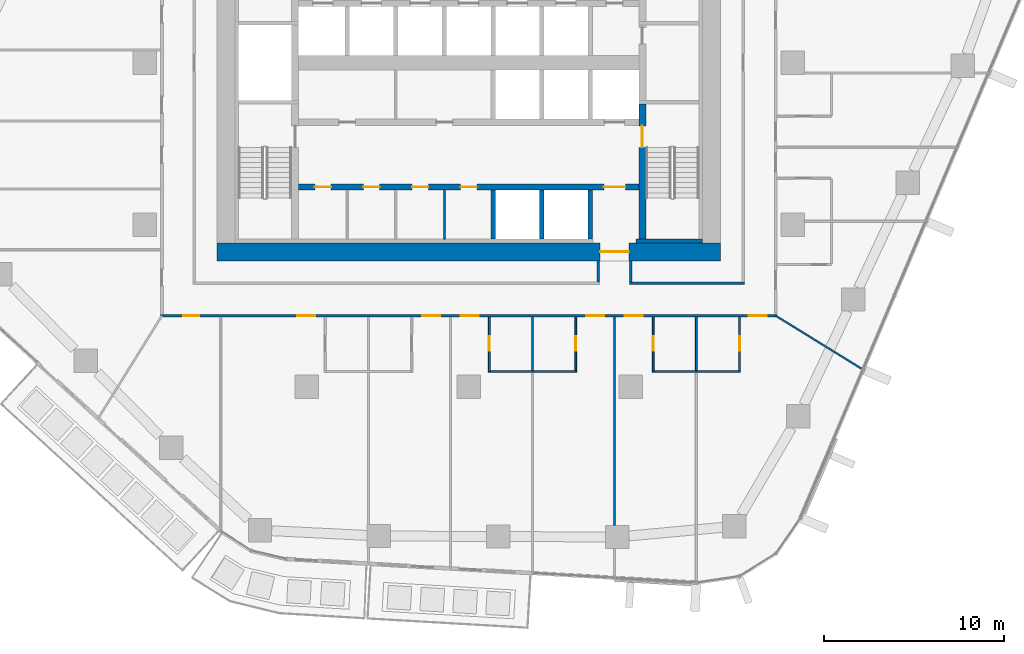
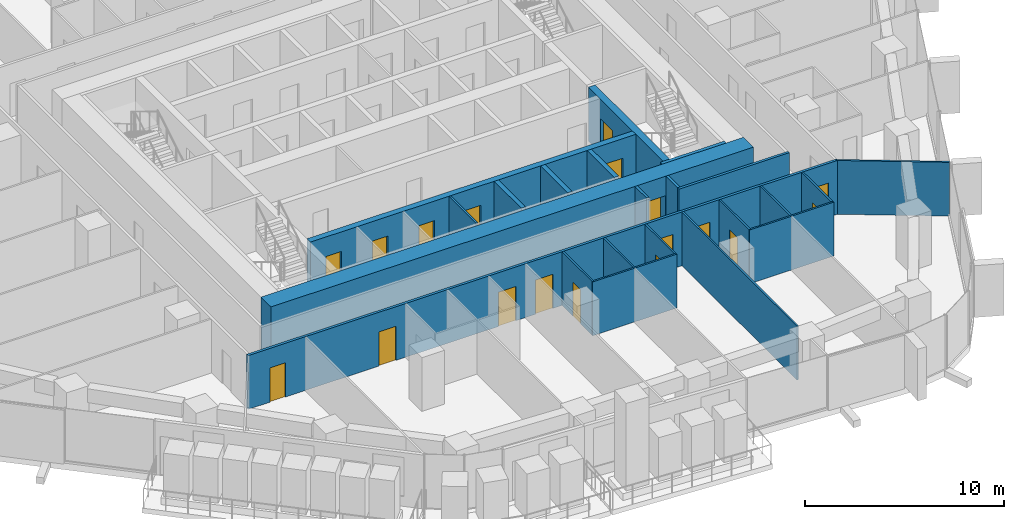
# One storey, part 13 of 24: 22 walls, 18 doors, 18 openings.
"""IFC4 building model written with IfcOpenShell, lengths in metres."""

from ifc_helpers import new_model, si_unit, direction, frame, frame_2d, origin, place, context, subcontext, project, spatial, rectangle, extrude, material, layer, layer_set, type_object, element, fill, save


model = new_model("IFC4")

# Units and contexts
model_context = context("Model", 3, precision=1e-05, world=origin(), true_north=direction((0.0, 1.0)))
body_context = subcontext(model_context, "Body", "Model", "MODEL_VIEW")
ifc_project = project(units=[si_unit("LENGTHUNIT", "METRE"), si_unit("AREAUNIT", "SQUARE_METRE"), si_unit("VOLUMEUNIT", "CUBIC_METRE"), si_unit("PLANEANGLEUNIT", "RADIAN"), si_unit("MASSUNIT", "GRAM", prefix="KILO")], contexts=[model_context])

# Site, building, storey
site_placement = place(None, origin())
site = spatial("IfcSite", under=ifc_project, at=site_placement, CompositionType="ELEMENT")
building_placement = place(site_placement, origin())
building = spatial("IfcBuilding", under=site, at=building_placement, Name="Dongbaek Canopy Tower", CompositionType="ELEMENT")
storey_placement = place(building_placement, frame((0.0, 0.0, 124.800048828125)))
storey = spatial("IfcBuildingStorey", under=building, at=storey_placement, Name="L27", CompositionType="ELEMENT", Elevation=124.800048828125)

# Wall, openings, doors
ifc_material_1 = material(Name="Concrete C60/75", Category="concrete")
ifc_layer_1 = layer(ifc_material_1, 0.35009765625)
ifc_layer_set_1 = layer_set([ifc_layer_1], Name="Core lobby wall 350 Concrete C60/75")
wall_type_1 = type_object("IfcWallType", Name="Core lobby wall 350 Concrete C60/75", PredefinedType="SHEAR", material=ifc_layer_set_1)
wall_1_placement = place(storey_placement, frame((9.449951171875, -6.89990234375, 0.0), z_axis=(0.0, 0.0, 1.0), x_axis=(-1.0, 0.0, 0.0)))
wall_1 = element("IfcWall", 1, at=wall_1_placement, inside=storey, type_object=wall_type_1, Name="Core wall", PredefinedType="SHEAR", context=body_context, shape_type="SweptSolid", body=[
    extrude(rectangle(XDim=18.89990234375, YDim=0.35009765625, at=frame_2d((9.449951171875, 0.0))), origin(), (0.0, 0.0, 1.0), 3.300048828125),
])
opening_1_placement = place(wall_1_placement, frame((0.75, 0.0, 0.0)))
opening_1 = element("IfcOpeningElement", 2, at=opening_1_placement, cuts=wall_1, Name="Opening L27-D061", PredefinedType="OPENING", context=body_context, shape_type="SweptSolid", body=[
    extrude(rectangle(XDim=1.199951171875, YDim=2.10009765625, at=frame_2d((0.60009765625, 1.050048828125))), frame((0.0, 0.18505859375, 0.0), z_axis=(0.0, -1.0, 0.0), x_axis=(1.0, 0.0, 0.0)), (0.0, 0.0, 1.0), 0.3701171875),
])
opening_2_placement = place(wall_1_placement, frame((17.10009765625, 0.0, 0.0)))
opening_2 = element("IfcOpeningElement", 3, at=opening_2_placement, cuts=wall_1, Name="Opening L27-D064", PredefinedType="OPENING", context=body_context, shape_type="SweptSolid", body=[
    extrude(rectangle(XDim=0.89990234375, YDim=2.10009765625, at=frame_2d((0.449951171875, 1.050048828125))), frame((0.0, 0.18505859375, 0.0), z_axis=(0.0, -1.0, 0.0), x_axis=(1.0, 0.0, 0.0)), (0.0, 0.0, 1.0), 0.3701171875),
])
opening_3_placement = place(wall_1_placement, frame((14.39990234375, 0.0, 0.0)))
opening_3 = element("IfcOpeningElement", 4, at=opening_3_placement, cuts=wall_1, Name="Opening L27-D065", PredefinedType="OPENING", context=body_context, shape_type="SweptSolid", body=[
    extrude(rectangle(XDim=0.89990234375, YDim=2.10009765625, at=frame_2d((0.449951171875, 1.050048828125))), frame((0.0, 0.18505859375, 0.0), z_axis=(0.0, -1.0, 0.0), x_axis=(1.0, 0.0, 0.0)), (0.0, 0.0, 1.0), 0.3701171875),
])
opening_4_placement = place(wall_1_placement, frame((11.699951171875, 0.0, 0.0)))
opening_4 = element("IfcOpeningElement", 5, at=opening_4_placement, cuts=wall_1, Name="Opening L27-D066", PredefinedType="OPENING", context=body_context, shape_type="SweptSolid", body=[
    extrude(rectangle(XDim=0.89990234375, YDim=2.10009765625, at=frame_2d((0.449951171875, 1.050048828125))), frame((0.0, 0.18505859375, 0.0), z_axis=(0.0, -1.0, 0.0), x_axis=(1.0, 0.0, 0.0)), (0.0, 0.0, 1.0), 0.3701171875),
])
opening_5_placement = place(wall_1_placement, frame((9.0, 0.0, 0.0)))
opening_5 = element("IfcOpeningElement", 6, at=opening_5_placement, cuts=wall_1, Name="Opening L27-D067", PredefinedType="OPENING", context=body_context, shape_type="SweptSolid", body=[
    extrude(rectangle(XDim=0.89990234375, YDim=2.10009765625, at=frame_2d((0.449951171875, 1.050048828125))), frame((0.0, 0.18505859375, 0.0), z_axis=(0.0, -1.0, 0.0), x_axis=(1.0, 0.0, 0.0)), (0.0, 0.0, 1.0), 0.3701171875),
])
ifc_material_2 = material(Name="Steel", Category="steel")
door_type_1 = type_object("IfcDoorType", Name="Core room door 900 x 2100", OperationType="SINGLE_SWING_LEFT", PredefinedType="DOOR", material=ifc_material_2)
door_1_placement = place(opening_2_placement, origin())
door_1 = element("IfcDoor", 7, at=door_1_placement, inside=storey, type_object=door_type_1, Name="Door L27-D064", OperationType="SINGLE_SWING_RIGHT", OverallHeight=2.10009765625, OverallWidth=0.89990234375, PredefinedType="DOOR", context=body_context, shape_type="SweptSolid", body=[
    extrude(rectangle(XDim=0.89990234375, YDim=2.10009765625, at=frame_2d((0.449951171875, 1.050048828125))), frame((0.0, 0.02490234375, 0.0), z_axis=(0.0, -1.0, 0.0), x_axis=(1.0, 0.0, 0.0)), (0.0, 0.0, 1.0), 0.050048828125),
])
fill(opening_2, door_1)
door_2_placement = place(opening_3_placement, origin())
door_2 = element("IfcDoor", 8, at=door_2_placement, inside=storey, type_object=door_type_1, Name="Door L27-D065", OperationType="SINGLE_SWING_LEFT", OverallHeight=2.10009765625, OverallWidth=0.89990234375, PredefinedType="DOOR", context=body_context, shape_type="SweptSolid", body=[
    extrude(rectangle(XDim=0.89990234375, YDim=2.10009765625, at=frame_2d((0.449951171875, 1.050048828125))), frame((0.0, 0.02490234375, 0.0), z_axis=(0.0, -1.0, 0.0), x_axis=(1.0, 0.0, 0.0)), (0.0, 0.0, 1.0), 0.050048828125),
])
fill(opening_3, door_2)
door_3_placement = place(opening_4_placement, origin())
door_3 = element("IfcDoor", 9, at=door_3_placement, inside=storey, type_object=door_type_1, Name="Door L27-D066", OperationType="SINGLE_SWING_RIGHT", OverallHeight=2.10009765625, OverallWidth=0.89990234375, PredefinedType="DOOR", context=body_context, shape_type="SweptSolid", body=[
    extrude(rectangle(XDim=0.89990234375, YDim=2.10009765625, at=frame_2d((0.449951171875, 1.050048828125))), frame((0.0, 0.02490234375, 0.0), z_axis=(0.0, -1.0, 0.0), x_axis=(1.0, 0.0, 0.0)), (0.0, 0.0, 1.0), 0.050048828125),
])
fill(opening_4, door_3)
door_4_placement = place(opening_5_placement, origin())
door_4 = element("IfcDoor", 10, at=door_4_placement, inside=storey, type_object=door_type_1, Name="Door L27-D067", OperationType="SINGLE_SWING_LEFT", OverallHeight=2.10009765625, OverallWidth=0.89990234375, PredefinedType="DOOR", context=body_context, shape_type="SweptSolid", body=[
    extrude(rectangle(XDim=0.89990234375, YDim=2.10009765625, at=frame_2d((0.449951171875, 1.050048828125))), frame((0.0, 0.02490234375, 0.0), z_axis=(0.0, -1.0, 0.0), x_axis=(1.0, 0.0, 0.0)), (0.0, 0.0, 1.0), 0.050048828125),
])
fill(opening_5, door_4)
ifc_material_3 = material(Name="Steel", Category="steel")
door_type_2 = type_object("IfcDoorType", Name="Fire lobby door 1200 x 2100", OperationType="SINGLE_SWING_LEFT", PredefinedType="DOOR", material=ifc_material_3)
door_5_placement = place(opening_1_placement, origin())
door_5 = element("IfcDoor", 11, at=door_5_placement, inside=storey, type_object=door_type_2, Name="Door L27-D061", OperationType="SINGLE_SWING_LEFT", OverallHeight=2.10009765625, OverallWidth=1.199951171875, PredefinedType="DOOR", context=body_context, shape_type="SweptSolid", body=[
    extrude(rectangle(XDim=1.199951171875, YDim=2.10009765625, at=frame_2d((0.60009765625, 1.050048828125))), frame((0.0, 0.02490234375, 0.0), z_axis=(0.0, -1.0, 0.0), x_axis=(1.0, 0.0, 0.0)), (0.0, 0.0, 1.0), 0.050048828125),
])
fill(opening_1, door_5)

# Wall, opening, door
ifc_material_4 = material(Name="Concrete C60/75", Category="concrete")
ifc_layer_2 = layer(ifc_material_4, 1.0)
ifc_layer_set_2 = layer_set([ifc_layer_2], Name="Core outer wall 1000 Concrete C60/75")
wall_type_2 = type_object("IfcWallType", Name="Core outer wall 1000 Concrete C60/75", PredefinedType="SHEAR", material=ifc_layer_set_2)
wall_2_placement = place(storey_placement, frame((14.0, -10.5, 0.0), z_axis=(0.0, 0.0, 1.0), x_axis=(-1.0, 0.0, 0.0)))
wall_2 = element("IfcWall", 12, at=wall_2_placement, inside=storey, type_object=wall_type_2, Name="Core wall", PredefinedType="SHEAR", context=body_context, shape_type="SweptSolid", body=[
    extrude(rectangle(XDim=28.0, YDim=1.0, at=frame_2d((14.0, 0.0))), origin(), (0.0, 0.0, 1.0), 3.300048828125),
])
opening_6_placement = place(wall_2_placement, frame((5.10009765625, 0.0, 0.0)))
opening_6 = element("IfcOpeningElement", 13, at=opening_6_placement, cuts=wall_2, Name="Opening L27-D060", PredefinedType="OPENING", context=body_context, shape_type="SweptSolid", body=[
    extrude(rectangle(XDim=1.60009765625, YDim=2.10009765625, at=frame_2d((0.800048828125, 1.050048828125))), frame((0.0, 0.510009765625, 0.0), z_axis=(0.0, -1.0, 0.0), x_axis=(1.0, 0.0, 0.0)), (0.0, 0.0, 1.0), 1.02001953125),
])
ifc_material_5 = material(Name="Steel", Category="steel")
door_type_3 = type_object("IfcDoorType", Name="Core exit door 1600 x 2100", OperationType="DOUBLE_DOOR_SINGLE_SWING", PredefinedType="DOOR", material=ifc_material_5)
door_6_placement = place(opening_6_placement, origin())
door_6 = element("IfcDoor", 14, at=door_6_placement, inside=storey, type_object=door_type_3, Name="Core exit door", OperationType="DOUBLE_DOOR_SINGLE_SWING", OverallHeight=2.10009765625, OverallWidth=1.60009765625, PredefinedType="DOOR", context=body_context, shape_type="SweptSolid", body=[
    extrude(rectangle(XDim=1.60009765625, YDim=2.10009765625, at=frame_2d((0.800048828125, 1.050048828125))), frame((0.0, 0.02490234375, 0.0), z_axis=(0.0, -1.0, 0.0), x_axis=(1.0, 0.0, 0.0)), (0.0, 0.0, 1.0), 0.050048828125),
])
fill(opening_6, door_6)

# Wall
ifc_material_6 = material(Name="Concrete C60/75", Category="concrete")
ifc_layer_3 = layer(ifc_material_6, 0.199951171875)
ifc_layer_set_3 = layer_set([ifc_layer_3], Name="Core wall lining 200 Concrete C60/75")
wall_type_3 = type_object("IfcWallType", Name="Core wall lining 200 Concrete C60/75", PredefinedType="SHEAR", material=ifc_layer_set_3)
wall_3_placement = place(storey_placement, frame((13.0, -9.89990234375, 0.0), z_axis=(0.0, 0.0, 1.0), x_axis=(-1.0, 0.0, 0.0)))
element("IfcWall", 15, at=wall_3_placement, inside=storey, type_object=wall_type_3, Name="Core wall lining", PredefinedType="SHEAR", context=body_context, shape_type="SweptSolid", body=[
    extrude(rectangle(XDim=3.699951171875, YDim=0.199951171875, at=frame_2d((1.85009765625, 0.0))), origin(), (0.0, 0.0, 1.0), 3.300048828125),
])

# Wall, openings, doors
ifc_material_7 = material(Name="Gypsum board partition, steel stud, 2 x 15 mm fire board", Category="steel")
ifc_layer_4 = layer(ifc_material_7, 0.14990234375)
ifc_layer_set_4 = layer_set([ifc_layer_4], Name="Fire-rated partition 150 gypsum board")
wall_type_4 = type_object("IfcWallType", Name="Fire-rated partition 150 gypsum board", PredefinedType="PARTITIONING", material=ifc_layer_set_4)
wall_4_placement = place(storey_placement, frame((17.125, -14.050048828125, 0.0), z_axis=(0.0, 0.0, 1.0), x_axis=(-1.0, 0.0, 0.0)))
wall_4 = element("IfcWall", 16, at=wall_4_placement, inside=storey, type_object=wall_type_4, Name="Corridor partition", PredefinedType="PARTITIONING", context=body_context, shape_type="SweptSolid", body=[
    extrude(rectangle(XDim=34.25, YDim=0.14990234375, at=frame_2d((17.125, 0.0))), origin(), (0.0, 0.0, 1.0), 3.300048828125),
])
opening_7_placement = place(wall_4_placement, frame((32.088623046875, 0.0, 0.0)))
opening_7 = element("IfcOpeningElement", 17, at=opening_7_placement, cuts=wall_4, Name="Opening L27-D004", PredefinedType="OPENING", context=body_context, shape_type="SweptSolid", body=[
    extrude(rectangle(XDim=0.89990234375, YDim=2.10009765625, at=frame_2d((0.449951171875, 1.050048828125))), frame((0.0, 0.0849609375, 0.0), z_axis=(0.0, -1.0, 0.0), x_axis=(1.0, 0.0, 0.0)), (0.0, 0.0, 1.0), 0.169921875),
])
opening_8_placement = place(wall_4_placement, frame((25.666015625, 0.0, 0.0)))
opening_8 = element("IfcOpeningElement", 18, at=opening_8_placement, cuts=wall_4, Name="Opening L27-D006", PredefinedType="OPENING", context=body_context, shape_type="SweptSolid", body=[
    extrude(rectangle(XDim=1.0, YDim=2.10009765625, at=frame_2d((0.5, 1.050048828125))), frame((0.0, 0.0849609375, 0.0), z_axis=(0.0, -1.0, 0.0), x_axis=(1.0, 0.0, 0.0)), (0.0, 0.0, 1.0), 0.169921875),
])
opening_9_placement = place(wall_4_placement, frame((18.714111328125, 0.0, 0.0)))
opening_9 = element("IfcOpeningElement", 19, at=opening_9_placement, cuts=wall_4, Name="Opening L27-D008", PredefinedType="OPENING", context=body_context, shape_type="SweptSolid", body=[
    extrude(rectangle(XDim=1.0, YDim=2.10009765625, at=frame_2d((0.5, 1.050048828125))), frame((0.0, 0.0849609375, 0.0), z_axis=(0.0, -1.0, 0.0), x_axis=(1.0, 0.0, 0.0)), (0.0, 0.0, 1.0), 0.169921875),
])
opening_10_placement = place(wall_4_placement, frame((16.557861328125, 0.0, 0.0)))
opening_10 = element("IfcOpeningElement", 20, at=opening_10_placement, cuts=wall_4, Name="Opening L27-D010", PredefinedType="OPENING", context=body_context, shape_type="SweptSolid", body=[
    extrude(rectangle(XDim=1.0, YDim=2.10009765625, at=frame_2d((0.5, 1.050048828125))), frame((0.0, 0.0849609375, 0.0), z_axis=(0.0, -1.0, 0.0), x_axis=(1.0, 0.0, 0.0)), (0.0, 0.0, 1.0), 0.169921875),
])
opening_11_placement = place(wall_4_placement, frame((9.601806640625, 0.0, 0.0)))
opening_11 = element("IfcOpeningElement", 21, at=opening_11_placement, cuts=wall_4, Name="Opening L27-D012", PredefinedType="OPENING", context=body_context, shape_type="SweptSolid", body=[
    extrude(rectangle(XDim=1.0, YDim=2.10009765625, at=frame_2d((0.5, 1.050048828125))), frame((0.0, 0.0849609375, 0.0), z_axis=(0.0, -1.0, 0.0), x_axis=(1.0, 0.0, 0.0)), (0.0, 0.0, 1.0), 0.169921875),
])
opening_12_placement = place(wall_4_placement, frame((7.45068359375, 0.0, 0.0)))
opening_12 = element("IfcOpeningElement", 22, at=opening_12_placement, cuts=wall_4, Name="Opening L27-D014", PredefinedType="OPENING", context=body_context, shape_type="SweptSolid", body=[
    extrude(rectangle(XDim=1.0, YDim=2.10009765625, at=frame_2d((0.5, 1.050048828125))), frame((0.0, 0.0849609375, 0.0), z_axis=(0.0, -1.0, 0.0), x_axis=(1.0, 0.0, 0.0)), (0.0, 0.0, 1.0), 0.169921875),
])
opening_13_placement = place(wall_4_placement, frame((0.576416015625, 0.0, 0.0)))
opening_13 = element("IfcOpeningElement", 23, at=opening_13_placement, cuts=wall_4, Name="Opening L27-D016", PredefinedType="OPENING", context=body_context, shape_type="SweptSolid", body=[
    extrude(rectangle(XDim=1.0, YDim=2.10009765625, at=frame_2d((0.5, 1.050048828125))), frame((0.0, 0.0849609375, 0.0), z_axis=(0.0, -1.0, 0.0), x_axis=(1.0, 0.0, 0.0)), (0.0, 0.0, 1.0), 0.169921875),
])
ifc_material_8 = material(Name="Timber veneered door leaf", Category="wood")
door_type_4 = type_object("IfcDoorType", Name="Guest room door 1000 x 2100", OperationType="SINGLE_SWING_LEFT", PredefinedType="DOOR", material=ifc_material_8)
door_7_placement = place(opening_8_placement, origin())
door_7 = element("IfcDoor", 24, at=door_7_placement, inside=storey, type_object=door_type_4, Name="Door L27-D006", OperationType="SINGLE_SWING_LEFT", OverallHeight=2.10009765625, OverallWidth=1.0, PredefinedType="DOOR", context=body_context, shape_type="SweptSolid", body=[
    extrude(rectangle(XDim=1.0, YDim=2.10009765625, at=frame_2d((0.5, 1.050048828125))), frame((0.0, 0.02490234375, 0.0), z_axis=(0.0, -1.0, 0.0), x_axis=(1.0, 0.0, 0.0)), (0.0, 0.0, 1.0), 0.050048828125),
])
fill(opening_8, door_7)
door_8_placement = place(opening_9_placement, origin())
door_8 = element("IfcDoor", 25, at=door_8_placement, inside=storey, type_object=door_type_4, Name="Door L27-D008", OperationType="SINGLE_SWING_RIGHT", OverallHeight=2.10009765625, OverallWidth=1.0, PredefinedType="DOOR", context=body_context, shape_type="SweptSolid", body=[
    extrude(rectangle(XDim=1.0, YDim=2.10009765625, at=frame_2d((0.5, 1.050048828125))), frame((0.0, 0.02490234375, 0.0), z_axis=(0.0, -1.0, 0.0), x_axis=(1.0, 0.0, 0.0)), (0.0, 0.0, 1.0), 0.050048828125),
])
fill(opening_9, door_8)
door_9_placement = place(opening_10_placement, origin())
door_9 = element("IfcDoor", 26, at=door_9_placement, inside=storey, type_object=door_type_4, Name="Door L27-D010", OperationType="SINGLE_SWING_LEFT", OverallHeight=2.10009765625, OverallWidth=1.0, PredefinedType="DOOR", context=body_context, shape_type="SweptSolid", body=[
    extrude(rectangle(XDim=1.0, YDim=2.10009765625, at=frame_2d((0.5, 1.050048828125))), frame((0.0, 0.02490234375, 0.0), z_axis=(0.0, -1.0, 0.0), x_axis=(1.0, 0.0, 0.0)), (0.0, 0.0, 1.0), 0.050048828125),
])
fill(opening_10, door_9)
door_10_placement = place(opening_11_placement, origin())
door_10 = element("IfcDoor", 27, at=door_10_placement, inside=storey, type_object=door_type_4, Name="Door L27-D012", OperationType="SINGLE_SWING_RIGHT", OverallHeight=2.10009765625, OverallWidth=1.0, PredefinedType="DOOR", context=body_context, shape_type="SweptSolid", body=[
    extrude(rectangle(XDim=1.0, YDim=2.10009765625, at=frame_2d((0.5, 1.050048828125))), frame((0.0, 0.02490234375, 0.0), z_axis=(0.0, -1.0, 0.0), x_axis=(1.0, 0.0, 0.0)), (0.0, 0.0, 1.0), 0.050048828125),
])
fill(opening_11, door_10)
door_11_placement = place(opening_12_placement, origin())
door_11 = element("IfcDoor", 28, at=door_11_placement, inside=storey, type_object=door_type_4, Name="Door L27-D014", OperationType="SINGLE_SWING_LEFT", OverallHeight=2.10009765625, OverallWidth=1.0, PredefinedType="DOOR", context=body_context, shape_type="SweptSolid", body=[
    extrude(rectangle(XDim=1.0, YDim=2.10009765625, at=frame_2d((0.5, 1.050048828125))), frame((0.0, 0.02490234375, 0.0), z_axis=(0.0, -1.0, 0.0), x_axis=(1.0, 0.0, 0.0)), (0.0, 0.0, 1.0), 0.050048828125),
])
fill(opening_12, door_11)
door_12_placement = place(opening_13_placement, origin())
door_12 = element("IfcDoor", 29, at=door_12_placement, inside=storey, type_object=door_type_4, Name="Door L27-D016", OperationType="SINGLE_SWING_RIGHT", OverallHeight=2.10009765625, OverallWidth=1.0, PredefinedType="DOOR", context=body_context, shape_type="SweptSolid", body=[
    extrude(rectangle(XDim=1.0, YDim=2.10009765625, at=frame_2d((0.5, 1.050048828125))), frame((0.0, 0.02490234375, 0.0), z_axis=(0.0, -1.0, 0.0), x_axis=(1.0, 0.0, 0.0)), (0.0, 0.0, 1.0), 0.050048828125),
])
fill(opening_13, door_12)
ifc_material_9 = material(Name="Timber veneered door leaf", Category="wood")
door_type_5 = type_object("IfcDoorType", Name="Room door 900 x 2100", OperationType="SINGLE_SWING_LEFT", PredefinedType="DOOR", material=ifc_material_9)
door_13_placement = place(opening_7_placement, origin())
door_13 = element("IfcDoor", 30, at=door_13_placement, inside=storey, type_object=door_type_5, Name="Door L27-D004", OperationType="SINGLE_SWING_RIGHT", OverallHeight=2.10009765625, OverallWidth=0.89990234375, PredefinedType="DOOR", context=body_context, shape_type="SweptSolid", body=[
    extrude(rectangle(XDim=0.89990234375, YDim=2.10009765625, at=frame_2d((0.449951171875, 1.050048828125))), frame((0.0, 0.02490234375, 0.0), z_axis=(0.0, -1.0, 0.0), x_axis=(1.0, 0.0, 0.0)), (0.0, 0.0, 1.0), 0.050048828125),
])
fill(opening_7, door_13)

# Walls
wall_5_placement = place(storey_placement, frame((8.925048828125, -12.25, 0.0), z_axis=(0.0, 0.0, 1.0), x_axis=(1.0, 0.0, 0.0)))
element("IfcWall", 31, at=wall_5_placement, inside=storey, type_object=wall_type_4, Name="Corridor partition", PredefinedType="PARTITIONING", context=body_context, shape_type="SweptSolid", body=[
    extrude(rectangle(XDim=6.39990234375, YDim=0.14990234375, at=frame_2d((3.199951171875, 0.0))), origin(), (0.0, 0.0, 1.0), 3.300048828125),
])
for number, where, z_axis, x_axis, name in (
    (32, (9.0, -12.175048828125, 0.0), (0.0, 0.0, 1.0), (0.0, 1.0, 0.0), "Corridor partition"),
    (33, (7.199951171875, -12.175048828125, 0.0), (0.0, 0.0, 1.0), (0.0, 1.0, 0.0), "Corridor partition"),
):
    element("IfcWall", number, at=place(storey_placement, frame(where, z_axis=z_axis, x_axis=x_axis)), inside=storey, type_object=wall_type_4, Name=name, PredefinedType="PARTITIONING", context=body_context, shape_type="SweptSolid", body=[
        extrude(rectangle(XDim=1.175048828125, YDim=0.14990234375, at=frame_2d((0.58740234375, 0.0))), origin(), (0.0, 0.0, 1.0), 3.300048828125),
    ])
ifc_material_10 = material(Name="Concrete C40/50", Category="concrete")
ifc_layer_5 = layer(ifc_material_10, 0.25)
ifc_layer_set_5 = layer_set([ifc_layer_5], Name="Lift shaft wall 250 Concrete C40/50")
wall_type_5 = type_object("IfcWallType", Name="Lift shaft wall 250 Concrete C40/50", PredefinedType="SOLIDWALL", material=ifc_layer_set_5)
for number, where, z_axis, x_axis, name in (
    (34, (6.75, -9.800048828125, 0.0), (0.0, 0.0, 1.0), (0.0, 1.0, 0.0), "Lift shaft wall"),
    (35, (4.050048828125, -9.800048828125, 0.0), (0.0, 0.0, 1.0), (0.0, 1.0, 0.0), "Lift shaft wall"),
    (36, (1.35009765625, -9.800048828125, 0.0), (0.0, 0.0, 1.0), (0.0, 1.0, 0.0), "Lift shaft wall"),
):
    element("IfcWall", number, at=place(storey_placement, frame(where, z_axis=z_axis, x_axis=x_axis)), inside=storey, type_object=wall_type_5, Name=name, PredefinedType="SOLIDWALL", context=body_context, shape_type="SweptSolid", body=[
        extrude(rectangle(XDim=2.72509765625, YDim=0.25, at=frame_2d((1.362548828125, 0.0))), origin(), (0.0, 0.0, 1.0), 3.300048828125),
    ])
ifc_material_11 = material(Name="Gypsum board partition, steel stud, 2 x 12.5 mm board", Category="steel")
ifc_layer_6 = layer(ifc_material_11, 0.10009765625)
ifc_layer_set_6 = layer_set([ifc_layer_6], Name="Partition 100 gypsum board")
wall_type_6 = type_object("IfcWallType", Name="Partition 100 gypsum board", PredefinedType="PARTITIONING", material=ifc_layer_set_6)
for number, where, z_axis, x_axis, name in (
    (37, (1.09521484375, -17.14990234375, 0.0), (0.0, 0.0, 1.0), (1.0, 0.0, 0.0), "Partition"),
    (38, (10.197265625, -17.14990234375, 0.0), (0.0, 0.0, 1.0), (1.0, 0.0, 0.0), "Partition"),
):
    element("IfcWall", number, at=place(storey_placement, frame(where, z_axis=z_axis, x_axis=x_axis)), inside=storey, type_object=wall_type_6, Name=name, PredefinedType="PARTITIONING", context=body_context, shape_type="SweptSolid", body=[
        extrude(rectangle(XDim=4.89990234375, YDim=0.10009765625, at=frame_2d((2.449951171875, 0.0))), origin(), (0.0, 0.0, 1.0), 3.300048828125),
    ])

# Wall, opening, door
wall_6_placement = place(storey_placement, frame((15.047119140625, -17.10009765625, 0.0), z_axis=(0.0, 0.0, 1.0), x_axis=(0.0, 1.0, 0.0)))
wall_6 = element("IfcWall", 39, at=wall_6_placement, inside=storey, type_object=wall_type_6, Name="Partition", PredefinedType="PARTITIONING", context=body_context, shape_type="SweptSolid", body=[
    extrude(rectangle(XDim=2.97509765625, YDim=0.10009765625, at=frame_2d((1.487548828125, 0.0))), origin(), (0.0, 0.0, 1.0), 3.300048828125),
])
opening_14_placement = place(wall_6_placement, frame((1.10009765625, 0.0, 0.0)))
opening_14 = element("IfcOpeningElement", 40, at=opening_14_placement, cuts=wall_6, Name="Opening L27-D015", PredefinedType="OPENING", context=body_context, shape_type="SweptSolid", body=[
    extrude(rectangle(XDim=0.800048828125, YDim=2.10009765625, at=frame_2d((0.39990234375, 1.050048828125))), frame((0.0, 0.06005859375, 0.0), z_axis=(0.0, -1.0, 0.0), x_axis=(1.0, 0.0, 0.0)), (0.0, 0.0, 1.0), 0.1201171875),
])
ifc_material_12 = material(Name="Timber veneered door leaf", Category="wood")
door_type_6 = type_object("IfcDoorType", Name="En-suite door 800 x 2100", OperationType="SINGLE_SWING_LEFT", PredefinedType="DOOR", material=ifc_material_12)
door_14_placement = place(opening_14_placement, origin())
door_14 = element("IfcDoor", 41, at=door_14_placement, inside=storey, type_object=door_type_6, Name="Door L27-D015", OperationType="SINGLE_SWING_LEFT", OverallHeight=2.10009765625, OverallWidth=0.800048828125, PredefinedType="DOOR", context=body_context, shape_type="SweptSolid", body=[
    extrude(rectangle(XDim=0.800048828125, YDim=2.10009765625, at=frame_2d((0.39990234375, 1.050048828125))), frame((0.0, 0.02490234375, 0.0), z_axis=(0.0, -1.0, 0.0), x_axis=(1.0, 0.0, 0.0)), (0.0, 0.0, 1.0), 0.050048828125),
])
fill(opening_14, door_14)

# Wall
wall_7_placement = place(storey_placement, frame((12.64697265625, -17.10009765625, 0.0), z_axis=(0.0, 0.0, 1.0), x_axis=(0.0, 1.0, 0.0)))
element("IfcWall", 42, at=wall_7_placement, inside=storey, type_object=wall_type_6, Name="Partition", PredefinedType="PARTITIONING", context=body_context, shape_type="SweptSolid", body=[
    extrude(rectangle(XDim=2.97509765625, YDim=0.10009765625, at=frame_2d((1.487548828125, 0.0))), origin(), (0.0, 0.0, 1.0), 3.300048828125),
])

# Wall, opening, door
wall_8_placement = place(storey_placement, frame((10.2470703125, -14.125, 0.0), z_axis=(0.0, 0.0, 1.0), x_axis=(0.0, -1.0, 0.0)))
wall_8 = element("IfcWall", 43, at=wall_8_placement, inside=storey, type_object=wall_type_6, Name="Partition", PredefinedType="PARTITIONING", context=body_context, shape_type="SweptSolid", body=[
    extrude(rectangle(XDim=3.02490234375, YDim=0.10009765625, at=frame_2d((1.512451171875, 0.0))), origin(), (0.0, 0.0, 1.0), 3.300048828125),
])
opening_15_placement = place(wall_8_placement, frame((1.074951171875, 0.0, 0.0)))
opening_15 = element("IfcOpeningElement", 44, at=opening_15_placement, cuts=wall_8, Name="Opening L27-D013", PredefinedType="OPENING", context=body_context, shape_type="SweptSolid", body=[
    extrude(rectangle(XDim=0.800048828125, YDim=2.10009765625, at=frame_2d((0.39990234375, 1.050048828125))), frame((0.0, 0.06005859375, 0.0), z_axis=(0.0, -1.0, 0.0), x_axis=(1.0, 0.0, 0.0)), (0.0, 0.0, 1.0), 0.1201171875),
])
door_15_placement = place(opening_15_placement, origin())
door_15 = element("IfcDoor", 45, at=door_15_placement, inside=storey, type_object=door_type_6, Name="Door L27-D013", OperationType="SINGLE_SWING_RIGHT", OverallHeight=2.10009765625, OverallWidth=0.800048828125, PredefinedType="DOOR", context=body_context, shape_type="SweptSolid", body=[
    extrude(rectangle(XDim=0.800048828125, YDim=2.10009765625, at=frame_2d((0.39990234375, 1.050048828125))), frame((0.0, 0.02490234375, 0.0), z_axis=(0.0, -1.0, 0.0), x_axis=(1.0, 0.0, 0.0)), (0.0, 0.0, 1.0), 0.050048828125),
])
fill(opening_15, door_15)

# Wall
wall_9_placement = place(storey_placement, frame((8.10107421875, -25.698974609375, 0.0), z_axis=(0.0, 0.0, 1.0), x_axis=(0.0, 1.0, 0.0)))
element("IfcWall", 46, at=wall_9_placement, inside=storey, type_object=wall_type_6, Name="Partition", PredefinedType="PARTITIONING", context=body_context, shape_type="SweptSolid", body=[
    extrude(rectangle(XDim=11.573974609375, YDim=0.10009765625, at=frame_2d((5.787109375, 0.0))), origin(), (0.0, 0.0, 1.0), 3.300048828125),
])

# Wall, opening, door
wall_10_placement = place(storey_placement, frame((5.945068359375, -17.10009765625, 0.0), z_axis=(0.0, 0.0, 1.0), x_axis=(0.0, 1.0, 0.0)))
wall_10 = element("IfcWall", 47, at=wall_10_placement, inside=storey, type_object=wall_type_6, Name="Partition", PredefinedType="PARTITIONING", context=body_context, shape_type="SweptSolid", body=[
    extrude(rectangle(XDim=2.97509765625, YDim=0.10009765625, at=frame_2d((1.487548828125, 0.0))), origin(), (0.0, 0.0, 1.0), 3.300048828125),
])
opening_16_placement = place(wall_10_placement, frame((1.10009765625, 0.0, 0.0)))
opening_16 = element("IfcOpeningElement", 48, at=opening_16_placement, cuts=wall_10, Name="Opening L27-D011", PredefinedType="OPENING", context=body_context, shape_type="SweptSolid", body=[
    extrude(rectangle(XDim=0.800048828125, YDim=2.10009765625, at=frame_2d((0.39990234375, 1.050048828125))), frame((0.0, 0.06005859375, 0.0), z_axis=(0.0, -1.0, 0.0), x_axis=(1.0, 0.0, 0.0)), (0.0, 0.0, 1.0), 0.1201171875),
])
door_16_placement = place(opening_16_placement, origin())
door_16 = element("IfcDoor", 49, at=door_16_placement, inside=storey, type_object=door_type_6, Name="Door L27-D011", OperationType="SINGLE_SWING_LEFT", OverallHeight=2.10009765625, OverallWidth=0.800048828125, PredefinedType="DOOR", context=body_context, shape_type="SweptSolid", body=[
    extrude(rectangle(XDim=0.800048828125, YDim=2.10009765625, at=frame_2d((0.39990234375, 1.050048828125))), frame((0.0, 0.02490234375, 0.0), z_axis=(0.0, -1.0, 0.0), x_axis=(1.0, 0.0, 0.0)), (0.0, 0.0, 1.0), 0.050048828125),
])
fill(opening_16, door_16)

# Wall
wall_11_placement = place(storey_placement, frame((3.544921875, -17.10009765625, 0.0), z_axis=(0.0, 0.0, 1.0), x_axis=(0.0, 1.0, 0.0)))
element("IfcWall", 50, at=wall_11_placement, inside=storey, type_object=wall_type_6, Name="Partition", PredefinedType="PARTITIONING", context=body_context, shape_type="SweptSolid", body=[
    extrude(rectangle(XDim=2.97509765625, YDim=0.10009765625, at=frame_2d((1.487548828125, 0.0))), origin(), (0.0, 0.0, 1.0), 3.300048828125),
])

# Wall, opening, door
wall_12_placement = place(storey_placement, frame((1.14501953125, -14.125, 0.0), z_axis=(0.0, 0.0, 1.0), x_axis=(0.0, -1.0, 0.0)))
wall_12 = element("IfcWall", 51, at=wall_12_placement, inside=storey, type_object=wall_type_6, Name="Partition", PredefinedType="PARTITIONING", context=body_context, shape_type="SweptSolid", body=[
    extrude(rectangle(XDim=3.02490234375, YDim=0.10009765625, at=frame_2d((1.512451171875, 0.0))), origin(), (0.0, 0.0, 1.0), 3.300048828125),
])
opening_17_placement = place(wall_12_placement, frame((1.074951171875, 0.0, 0.0)))
opening_17 = element("IfcOpeningElement", 52, at=opening_17_placement, cuts=wall_12, Name="Opening L27-D009", PredefinedType="OPENING", context=body_context, shape_type="SweptSolid", body=[
    extrude(rectangle(XDim=0.800048828125, YDim=2.10009765625, at=frame_2d((0.39990234375, 1.050048828125))), frame((0.0, 0.06005859375, 0.0), z_axis=(0.0, -1.0, 0.0), x_axis=(1.0, 0.0, 0.0)), (0.0, 0.0, 1.0), 0.1201171875),
])
door_17_placement = place(opening_17_placement, origin())
door_17 = element("IfcDoor", 53, at=door_17_placement, inside=storey, type_object=door_type_6, Name="Door L27-D009", OperationType="SINGLE_SWING_RIGHT", OverallHeight=2.10009765625, OverallWidth=0.800048828125, PredefinedType="DOOR", context=body_context, shape_type="SweptSolid", body=[
    extrude(rectangle(XDim=0.800048828125, YDim=2.10009765625, at=frame_2d((0.39990234375, 1.050048828125))), frame((0.0, 0.02490234375, 0.0), z_axis=(0.0, -1.0, 0.0), x_axis=(1.0, 0.0, 0.0)), (0.0, 0.0, 1.0), 0.050048828125),
])
fill(opening_17, door_17)

# Walls
wall_13_placement = place(storey_placement, frame((17.0498046875, -14.05029296875, 0.0), z_axis=(0.0, 0.0, 1.0), x_axis=(0.851278656023, -0.524713874221, 0.0)))
element("IfcWall", 54, at=wall_13_placement, inside=storey, type_object=wall_type_6, Name="Partition", PredefinedType="PARTITIONING", context=body_context, shape_type="SweptSolid", body=[
    extrude(rectangle(XDim=5.69970703125, YDim=0.10009765625, at=frame_2d((2.849853515625, 0.0))), origin(), (0.0, 0.0, 1.0), 3.300048828125),
])
wall_14_placement = place(storey_placement, frame((-1.35009765625, -9.800048828125, 0.0), z_axis=(0.0, 0.0, 1.0), x_axis=(0.0, 1.0, 0.0)))
element("IfcWall", 55, at=wall_14_placement, inside=storey, type_object=wall_type_6, Name="Core partition", PredefinedType="PARTITIONING", context=body_context, shape_type="SweptSolid", body=[
    extrude(rectangle(XDim=2.72509765625, YDim=0.10009765625, at=frame_2d((1.362548828125, 0.0))), origin(), (0.0, 0.0, 1.0), 3.300048828125),
])

# Wall, opening, door
ifc_material_13 = material(Name="Concrete C60/75", Category="concrete")
ifc_layer_7 = layer(ifc_material_13, 0.39990234375)
ifc_layer_set_7 = layer_set([ifc_layer_7], Name="Stair wall 400 Concrete C60/75")
wall_type_7 = type_object("IfcWallType", Name="Stair wall 400 Concrete C60/75", PredefinedType="SHEAR", material=ifc_layer_set_7)
wall_15_placement = place(storey_placement, frame((9.64990234375, -2.300048828125, 0.0), z_axis=(0.0, 0.0, 1.0), x_axis=(0.0, -1.0, 0.0)))
wall_15 = element("IfcWall", 56, at=wall_15_placement, inside=storey, type_object=wall_type_7, Name="Stair wall", PredefinedType="SHEAR", context=body_context, shape_type="SweptSolid", body=[
    extrude(rectangle(XDim=7.5, YDim=0.39990234375, at=frame_2d((3.75, 0.0))), origin(), (0.0, 0.0, 1.0), 3.300048828125),
])
opening_18_placement = place(wall_15_placement, frame((1.199951171875, 0.0, 0.0)))
opening_18 = element("IfcOpeningElement", 57, at=opening_18_placement, cuts=wall_15, Name="Opening L27-D070", PredefinedType="OPENING", context=body_context, shape_type="SweptSolid", body=[
    extrude(rectangle(XDim=1.199951171875, YDim=2.10009765625, at=frame_2d((0.60009765625, 1.050048828125))), frame((0.0, 0.2099609375, 0.0), z_axis=(0.0, -1.0, 0.0), x_axis=(1.0, 0.0, 0.0)), (0.0, 0.0, 1.0), 0.419921875),
])
ifc_material_14 = material(Name="Steel", Category="steel")
door_type_7 = type_object("IfcDoorType", Name="Stair door 1200 x 2100", OperationType="SINGLE_SWING_LEFT", PredefinedType="DOOR", material=ifc_material_14)
door_18_placement = place(opening_18_placement, origin())
door_18 = element("IfcDoor", 58, at=door_18_placement, inside=storey, type_object=door_type_7, Name="Stair B door", OperationType="SINGLE_SWING_RIGHT", OverallHeight=2.10009765625, OverallWidth=1.199951171875, PredefinedType="DOOR", context=body_context, shape_type="SweptSolid", body=[
    extrude(rectangle(XDim=1.199951171875, YDim=2.10009765625, at=frame_2d((0.60009765625, 1.050048828125))), frame((0.0, 0.02490234375, 0.0), z_axis=(0.0, -1.0, 0.0), x_axis=(1.0, 0.0, 0.0)), (0.0, 0.0, 1.0), 0.050048828125),
])
fill(opening_18, door_18)

save(model, "model.ifc")
